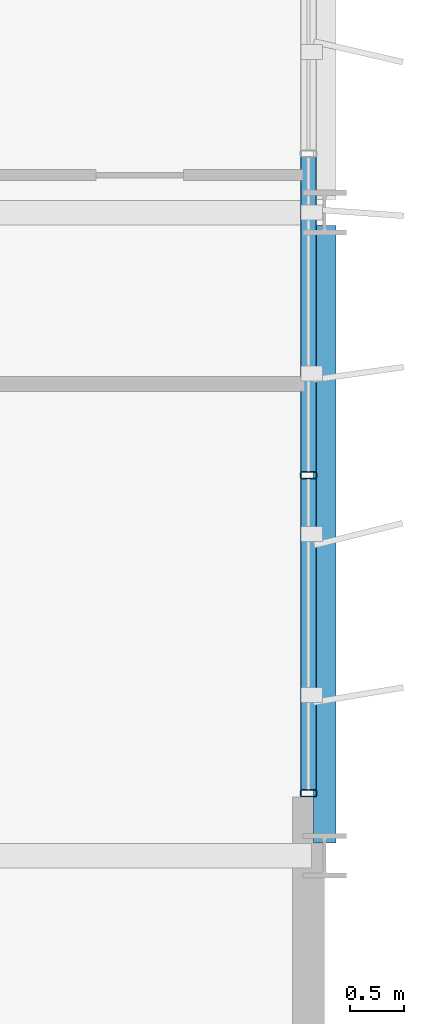
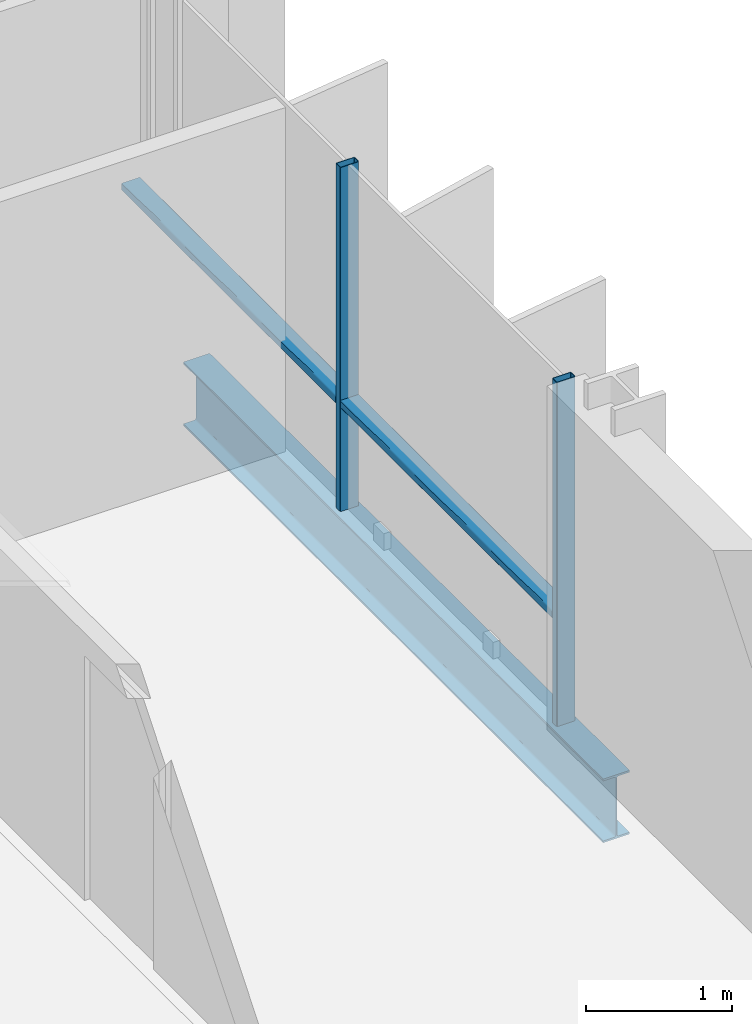
# One storey, part 17 of 39: 4 members, 1 beam, 1 element without a shape of its own.
"""IFC4 building model written with IfcOpenShell, lengths in metres."""

from ifc_helpers import new_model, si_unit, direction, frame, origin, origin_2d, place, context, subcontext, project, spatial, hollow_rectangle, i_section, extrude, material, layer, layer_set, material_profile, profile_set, type_object, element, aggregate, save


model = new_model("IFC4")

# Units and contexts
model_context = context("Model", 3, precision=1e-05, world=origin(), true_north=direction((0.0, 1.0)))
body_context = subcontext(model_context, "Body", "Model", "MODEL_VIEW")
ifc_project = project(units=[si_unit("LENGTHUNIT", "METRE"), si_unit("AREAUNIT", "SQUARE_METRE"), si_unit("VOLUMEUNIT", "CUBIC_METRE"), si_unit("PLANEANGLEUNIT", "RADIAN"), si_unit("MASSUNIT", "GRAM", prefix="KILO")], contexts=[model_context])

# Site, building, storey
site_placement = place(None, origin())
site = spatial("IfcSite", under=ifc_project, at=site_placement, CompositionType="ELEMENT")
building_placement = place(site_placement, origin())
building = spatial("IfcBuilding", under=site, at=building_placement, Name="Brevholm Reach", CompositionType="ELEMENT")
storey_placement = place(building_placement, frame((0.0, 0.0, 154.199951171875)))
storey = spatial("IfcBuildingStorey", under=building, at=storey_placement, Name="L46", CompositionType="ELEMENT", Elevation=154.199951171875)

# Beam
ifc_material_1 = material(Name="Structural Steel S355J2", Category="steel")
ifc_material_profile_1 = material_profile(ifc_material_1, i_section(OverallWidth=0.209228515625, OverallDepth=0.533203125, WebThickness=0.010009765625, FlangeThickness=0.015625, FilletRadius=0.0126953125, at=origin_2d()), Name="UKB 533x210x92")
ifc_profile_set_1 = profile_set([ifc_material_profile_1], Name="Structural Steel S355J2")
beam_type = type_object("IfcBeamType", Name="BM-SP533", PredefinedType="SPANDREL", material=ifc_profile_set_1)
beam_placement = place(storey_placement, frame((60.0, 10.1201171875, -0.486572265625), z_axis=(0.0, 1.0, 0.0), x_axis=(-1.0, 0.0, 0.0)))
element("IfcBeam", 1, at=beam_placement, inside=storey, type_object=beam_type, Name="L46 SP-02 Framing Beam", PredefinedType="SPANDREL", context=body_context, shape_type="SweptSolid", body=[
    extrude(i_section(OverallWidth=0.209228515625, OverallDepth=0.533203125, WebThickness=0.010009765625, FlangeThickness=0.015625, FilletRadius=0.0126953125, at=origin_2d()), origin(), (0.0, 0.0, 1.0), 5.759765625),
])

# Curtain wall, members
ifc_material_2 = material(Name="Dark Anodised Aluminium 6063-T6 and Solar-Control Glass", Category="aluminium")
ifc_layer = layer(ifc_material_2, 0.14990234375)
ifc_layer_set = layer_set([ifc_layer], Name="Dark Anodised Aluminium 6063-T6 and Solar-Control Glass")
curtain_wall_type = type_object("IfcCurtainWallType", Name="CW-01", PredefinedType="NOTDEFINED", material=ifc_layer_set)
curtain_wall_placement = place(storey_placement, origin())
curtain_wall = element("IfcCurtainWall", 2, at=curtain_wall_placement, inside=storey, type_object=curtain_wall_type, Name="L46 Curtain Wall CW-01", PredefinedType="NOTDEFINED")
ifc_material_3 = material(Name="Dark Anodised Aluminium 6063-T6", Category="aluminium")
ifc_material_profile_2 = material_profile(ifc_material_3, hollow_rectangle(XDim=0.06494140625, YDim=0.14990234375, WallThickness=0.0048828125, InnerFilletRadius=0.0048828125, OuterFilletRadius=0.010009765625, at=origin_2d()), Name="RHS 150x65x5")
ifc_profile_set_2 = profile_set([ifc_material_profile_2], Name="Dark Anodised Aluminium 6063-T6")
member_type_1 = type_object("IfcMemberType", Name="CWM-150", PredefinedType="MULLION", material=ifc_profile_set_2)
member_1_placement = place(storey_placement, frame((59.85009765625, 10.58251953125, 0.0), z_axis=(0.0, 0.0, 1.0), x_axis=(0.0, 1.0, 0.0)))
member_1 = element("IfcMember", 3, at=member_1_placement, type_object=member_type_1, Name="CM-150 Mullion 1", PredefinedType="MULLION", context=body_context, shape_type="SweptSolid", body=[
    extrude(hollow_rectangle(XDim=0.06494140625, YDim=0.14990234375, WallThickness=0.0048828125, InnerFilletRadius=0.0048828125, OuterFilletRadius=0.010009765625, at=origin_2d()), origin(), (0.0, 0.0, 1.0), 2.880126953125),
])
member_2_placement = place(storey_placement, frame((59.85009765625, 13.550048828125, 0.0), z_axis=(0.0, 0.0, 1.0), x_axis=(0.0, 1.0, 0.0)))
member_2 = element("IfcMember", 4, at=member_2_placement, type_object=member_type_1, Name="CM-150 Mullion 2", PredefinedType="MULLION", context=body_context, shape_type="SweptSolid", body=[
    extrude(hollow_rectangle(XDim=0.06494140625, YDim=0.14990234375, WallThickness=0.0048828125, InnerFilletRadius=0.0048828125, OuterFilletRadius=0.010009765625, at=origin_2d()), origin(), (0.0, 0.0, 1.0), 2.880126953125),
])
ifc_material_4 = material(Name="Dark Anodised Aluminium 6063-T6", Category="aluminium")
ifc_material_profile_3 = material_profile(ifc_material_4, hollow_rectangle(XDim=0.06494140625, YDim=0.14990234375, WallThickness=0.0048828125, InnerFilletRadius=0.0048828125, OuterFilletRadius=0.010009765625, at=origin_2d()), Name="RHS 150x65x5")
ifc_profile_set_3 = profile_set([ifc_material_profile_3], Name="Dark Anodised Aluminium 6063-T6")
member_type_2 = type_object("IfcMemberType", Name="CWT-150", PredefinedType="NOTDEFINED", material=ifc_profile_set_3)
member_3_placement = place(storey_placement, frame((59.85009765625, 10.614990234375, 0.900146484375), z_axis=(0.0, 1.0, 0.0), x_axis=(0.0, 0.0, 1.0)))
member_3 = element("IfcMember", 5, at=member_3_placement, type_object=member_type_2, Name="CT-150 Transom 1.1", ObjectType="TRANSOM", PredefinedType="USERDEFINED", context=body_context, shape_type="SweptSolid", body=[
    extrude(hollow_rectangle(XDim=0.06494140625, YDim=0.14990234375, WallThickness=0.0048828125, InnerFilletRadius=0.0048828125, OuterFilletRadius=0.010009765625, at=origin_2d()), origin(), (0.0, 0.0, 1.0), 2.902587890625),
])
member_4_placement = place(storey_placement, frame((59.85009765625, 13.58251953125, 0.900146484375), z_axis=(0.0, 1.0, 0.0), x_axis=(0.0, 0.0, 1.0)))
member_4 = element("IfcMember", 6, at=member_4_placement, type_object=member_type_2, Name="CT-150 Transom 2.1", ObjectType="TRANSOM", PredefinedType="USERDEFINED", context=body_context, shape_type="SweptSolid", body=[
    extrude(hollow_rectangle(XDim=0.06494140625, YDim=0.14990234375, WallThickness=0.0048828125, InnerFilletRadius=0.0048828125, OuterFilletRadius=0.010009765625, at=origin_2d()), origin(), (0.0, 0.0, 1.0), 2.93505859375),
])
aggregate(curtain_wall, [member_1, member_2, member_3, member_4])

save(model, "model.ifc")
